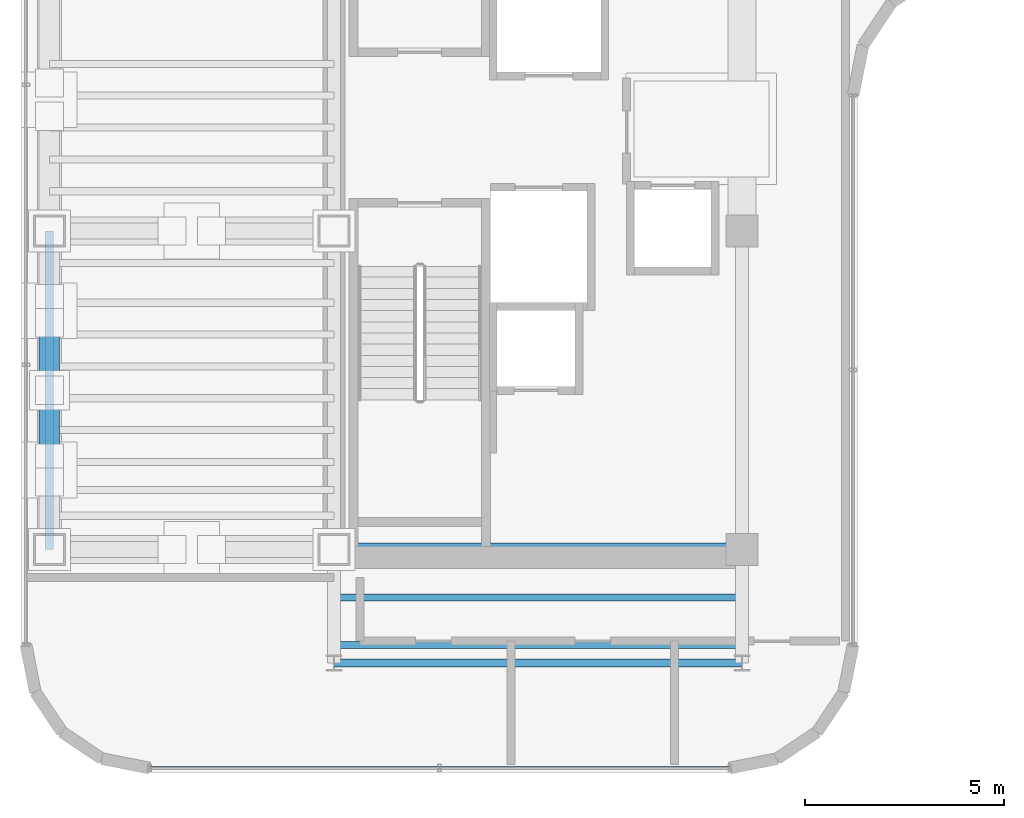
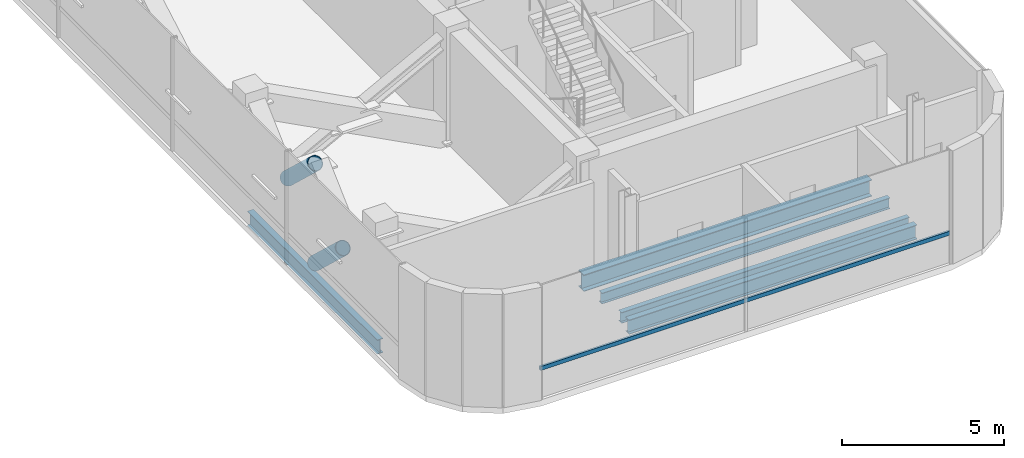
# One storey, part 3 of 19: 5 beams, 3 members, 1 element without a shape of its own.
"""IFC4 building model written with IfcOpenShell, lengths in metres."""

from ifc_helpers import new_model, si_unit, direction, frame, origin, origin_2d, place, context, subcontext, project, spatial, hollow_rectangle, hollow_circle, i_section, extrude, source, transform, mapped, material, material_profile, profile_set, type_object, element, aggregate, save


model = new_model("IFC4")

# Units and contexts
model_context = context("Model", 3, precision=1e-05, world=origin(), true_north=direction((0.0, 1.0)))
body_context = subcontext(model_context, "Body", "Model", "MODEL_VIEW")
ifc_project = project(units=[si_unit("LENGTHUNIT", "METRE"), si_unit("AREAUNIT", "SQUARE_METRE"), si_unit("VOLUMEUNIT", "CUBIC_METRE"), si_unit("PLANEANGLEUNIT", "RADIAN"), si_unit("MASSUNIT", "GRAM", prefix="KILO")], contexts=[model_context])

# Site, building, storey
site_placement = place(None, origin())
site = spatial("IfcSite", under=ifc_project, at=site_placement, CompositionType="ELEMENT")
building_placement = place(site_placement, origin())
building = spatial("IfcBuilding", under=site, at=building_placement, Name="Valdorenza Pilgrim Sanctuary Tower", CompositionType="ELEMENT")
storey_placement = place(building_placement, frame((0.0, 0.0, 261.5)))
storey = spatial("IfcBuildingStorey", under=building, at=storey_placement, Name="L68", CompositionType="ELEMENT", Elevation=261.5)

# Beams
ifc_material_1 = material(Name="Steel ASTM A992 Grade 50", Category="steel")
ifc_material_profile_1 = material_profile(ifc_material_1, i_section(OverallWidth=0.2109375, OverallDepth=0.5390625, WebThickness=0.01171875, FlangeThickness=0.018798828125, at=origin_2d()), Name="W21X73")
ifc_profile_set_1 = profile_set([ifc_material_profile_1], Name="Steel ASTM A992 Grade 50")
beam_type_1 = type_object("IfcBeamType", Name="STR-BM-SPN-W21B", PredefinedType="SPANDREL", material=ifc_profile_set_1)
shared_shape_1 = source(origin(), body_context, "Body", "SweptSolid", [
    extrude(i_section(OverallWidth=0.2109375, OverallDepth=0.5390625, WebThickness=0.01171875, FlangeThickness=0.018798828125, at=origin_2d()), origin(), (0.0, 0.0, 1.0), 8.0),
])
beam_1_placement = place(storey_placement, frame((-29.800048828125, -10.60009765625, -0.509521484375), z_axis=(0.0, 1.0, 0.0), x_axis=(-1.0, 0.0, 0.0)))
element("IfcBeam", 1, at=beam_1_placement, inside=storey, type_object=beam_type_1, Name="L68 Spandrel Beam WA-W-S1M0", PredefinedType="SPANDREL", context=body_context, shape_type="MappedRepresentation", body=[
    mapped(shared_shape_1, transform((0.0, 0.0, 0.0), x_axis=(1.0, 0.0, 0.0), y_axis=(0.0, 1.0, 0.0), z_axis=(0.0, 0.0, 1.0), scale=1.0)),
])
shared_shape_2 = source(origin(), body_context, "Body", "SweptSolid", [
    extrude(i_section(OverallWidth=0.2109375, OverallDepth=0.5390625, WebThickness=0.01171875, FlangeThickness=0.018798828125, at=origin_2d()), origin(), (0.0, 0.0, 1.0), 10.25),
])
beam_2_placement = place(storey_placement, frame((-22.64990234375, -13.449951171875, -0.509521484375), z_axis=(1.0, 0.0, 0.0), x_axis=(0.0, 1.0, 0.0)))
element("IfcBeam", 2, at=beam_2_placement, inside=storey, type_object=beam_type_1, Name="L68 South Spandrel WA-S-TIE", PredefinedType="SPANDREL", context=body_context, shape_type="MappedRepresentation", body=[
    mapped(shared_shape_2, transform((0.0, 0.0, 0.0), x_axis=(1.0, 0.0, 0.0), y_axis=(0.0, 1.0, 0.0), z_axis=(0.0, 0.0, 1.0), scale=1.0)),
])
ifc_material_profile_2 = material_profile(ifc_material_1, i_section(OverallWidth=0.177978515625, OverallDepth=0.406005859375, WebThickness=0.0078125, FlangeThickness=0.0126953125, at=origin_2d()), Name="W16X40")
ifc_profile_set_2 = profile_set([ifc_material_profile_2], Name="Steel ASTM A992 Grade 50")
beam_type_2 = type_object("IfcBeamType", Name="STR-BM-JST-W16", PredefinedType="JOIST", material=ifc_profile_set_2)
shared_shape_3 = source(origin(), body_context, "Body", "SweptSolid", [
    extrude(i_section(OverallWidth=0.177978515625, OverallDepth=0.406005859375, WebThickness=0.0078125, FlangeThickness=0.0126953125, at=origin_2d()), origin(), (0.0, 0.0, 1.0), 10.25),
])
for number, where, z_axis, x_axis, name in (
    (3, (-22.64990234375, -13.0, -0.443115234375), (1.0, 0.0, 0.0), (0.0, 1.0, 0.0), "L68 Composite Floor Joist JST-WAS-1"),
    (4, (-22.64990234375, -11.800048828125, -0.443115234375), (1.0, 0.0, 0.0), (0.0, 1.0, 0.0), "L68 Composite Floor Joist JST-WAS-2"),
):
    element("IfcBeam", number, at=place(storey_placement, frame(where, z_axis=z_axis, x_axis=x_axis)), inside=storey, type_object=beam_type_2, Name=name, PredefinedType="JOIST", context=body_context, shape_type="MappedRepresentation", body=[
        mapped(shared_shape_3, transform((0.0, 0.0, 0.0), x_axis=(1.0, 0.0, 0.0), y_axis=(0.0, 1.0, 0.0), z_axis=(0.0, 0.0, 1.0), scale=1.0)),
    ])
ifc_material_profile_3 = material_profile(ifc_material_1, i_section(OverallWidth=0.326904296875, OverallDepth=0.6220703125, WebThickness=0.015380859375, FlangeThickness=0.0244140625, at=origin_2d()), Name="W24X131")
ifc_profile_set_3 = profile_set([ifc_material_profile_3], Name="Steel ASTM A992 Grade 50")
beam_type_3 = type_object("IfcBeamType", Name="STR-BM-GRD-W24A", PredefinedType="BEAM", material=ifc_profile_set_3)
shared_shape_4 = source(origin(), body_context, "Body", "SweptSolid", [
    extrude(i_section(OverallWidth=0.326904296875, OverallDepth=0.6220703125, WebThickness=0.015380859375, FlangeThickness=0.0244140625, at=origin_2d()), origin(), (0.0, 0.0, 1.0), 10.25),
])
beam_3_placement = place(storey_placement, frame((-22.64990234375, -10.60009765625, -0.551025390625), z_axis=(1.0, 0.0, 0.0), x_axis=(0.0, 1.0, 0.0)))
element("IfcBeam", 5, at=beam_3_placement, inside=storey, type_object=beam_type_3, Name="L68 Floor Girder CA-XC-S1", PredefinedType="BEAM", context=body_context, shape_type="MappedRepresentation", body=[
    mapped(shared_shape_4, transform((0.0, 0.0, 0.0), x_axis=(1.0, 0.0, 0.0), y_axis=(0.0, 1.0, 0.0), z_axis=(0.0, 0.0, 1.0), scale=1.0)),
])

# Members
ifc_material_2 = material(Name="Steel S355J2", Category="steel")
ifc_material_profile_4 = material_profile(ifc_material_2, hollow_circle(Radius=0.25390625, WallThickness=0.02001953125, at=origin_2d()), Name="CHS 508x20")
ifc_profile_set_4 = profile_set([ifc_material_profile_4], Name="Steel S355J2")
member_type_1 = type_object("IfcMemberType", Name="STR-MB-CHS-508", PredefinedType="STRUT", material=ifc_profile_set_4)
shared_shape_5 = source(origin(), body_context, "Body", "SweptSolid", [
    extrude(hollow_circle(Radius=0.25390625, WallThickness=0.02001953125, at=origin_2d()), origin(), (0.0, 0.0, 1.0), 2.32861328125),
])
for number, where, z_axis, x_axis, name in (
    (6, (-29.800048828125, -8.298828125, 1.792724609375), (0.0, 0.729491429442, -0.683989951952), (-1.0, 0.0, 0.0), "L68 Perimeter Counter-Belt Strut CW1 Upper Segment"),
    (7, (-29.800048828125, -6.60009765625, 3.949951171875), (0.0, 0.729592783043, -0.68388183989), (-1.0, 0.0, 0.0), "L68 Perimeter Counter-Belt Strut CW2 Lower Segment"),
):
    element("IfcMember", number, at=place(storey_placement, frame(where, z_axis=z_axis, x_axis=x_axis)), inside=storey, type_object=member_type_1, Name=name, PredefinedType="STRUT", context=body_context, shape_type="MappedRepresentation", body=[
        mapped(shared_shape_5, transform((0.0, 0.0, 0.0), x_axis=(1.0, 0.0, 0.0), y_axis=(0.0, 1.0, 0.0), z_axis=(0.0, 0.0, 1.0), scale=1.0)),
    ])

# Curtain wall, member
ifc_material_3 = material(Name="Curtain-wall IGU glazing", Category="glass")
curtain_wall_type = type_object("IfcCurtainWallType", Name="CW-SYS-02", PredefinedType="NOTDEFINED", material=ifc_material_3)
curtain_wall_placement = place(storey_placement, origin())
curtain_wall = element("IfcCurtainWall", 8, at=curtain_wall_placement, inside=storey, type_object=curtain_wall_type, Name="L68 Curtain Wall CW-L68-1-26", PredefinedType="NOTDEFINED")
ifc_material_4 = material(Name="Anodised aluminium AW-6060", Category="aluminium")
ifc_material_profile_5 = material_profile(ifc_material_4, hollow_rectangle(XDim=0.074951171875, YDim=0.14990234375, WallThickness=0.00390625, at=origin_2d()), Name="ALU-T 150x75x4")
ifc_profile_set_5 = profile_set([ifc_material_profile_5], Name="Anodised aluminium AW-6060")
member_type_2 = type_object("IfcMemberType", Name="CW-TRN-02", PredefinedType="USERDEFINED", material=ifc_profile_set_5)
shared_shape_6 = source(origin(), body_context, "Body", "SweptSolid", [
    extrude(hollow_rectangle(XDim=0.074951171875, YDim=0.14990234375, WallThickness=0.00390625, at=origin_2d()), origin(), (0.0, 0.0, 1.0), 14.57861328125),
])
member_placement = place(storey_placement, frame((-12.710693359375, -16.090087890625, 1.1201171875), z_axis=(-1.0, 0.0, 0.0), x_axis=(0.0, -1.0, 0.0)))
member = element("IfcMember", 9, at=member_placement, type_object=member_type_2, Name="CW-L68-1-26 Transom 1", ObjectType="TRANSOM", PredefinedType="USERDEFINED", context=body_context, shape_type="MappedRepresentation", body=[
    mapped(shared_shape_6, transform((0.0, 0.0, 0.0), x_axis=(1.0, 0.0, 0.0), y_axis=(0.0, 1.0, 0.0), z_axis=(0.0, 0.0, 1.0), scale=1.0)),
])
aggregate(curtain_wall, [member])

save(model, "model.ifc")
